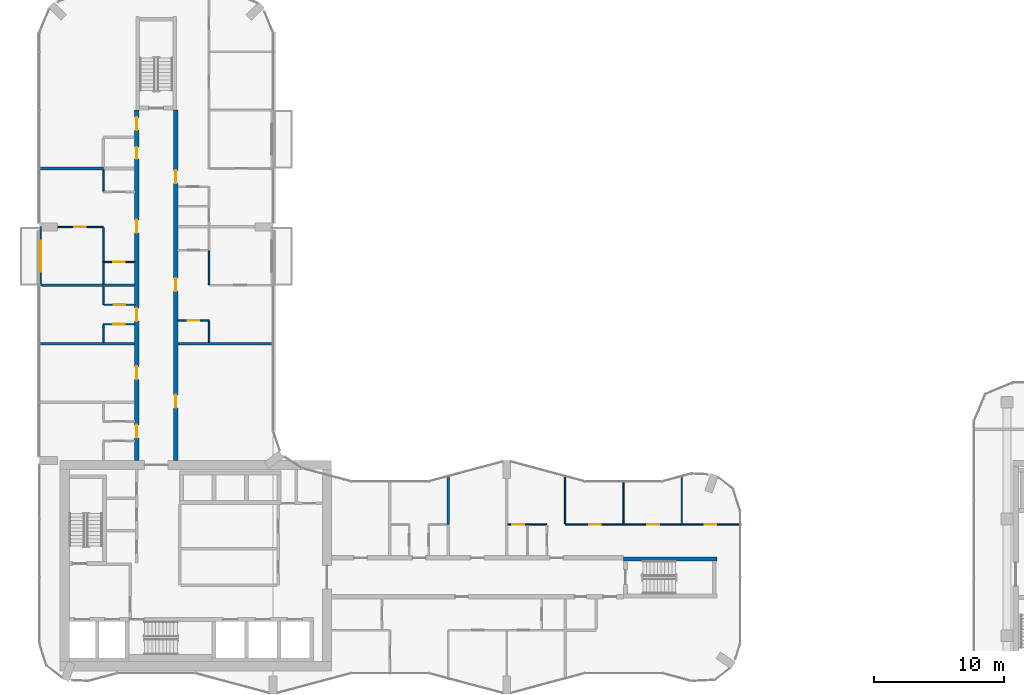
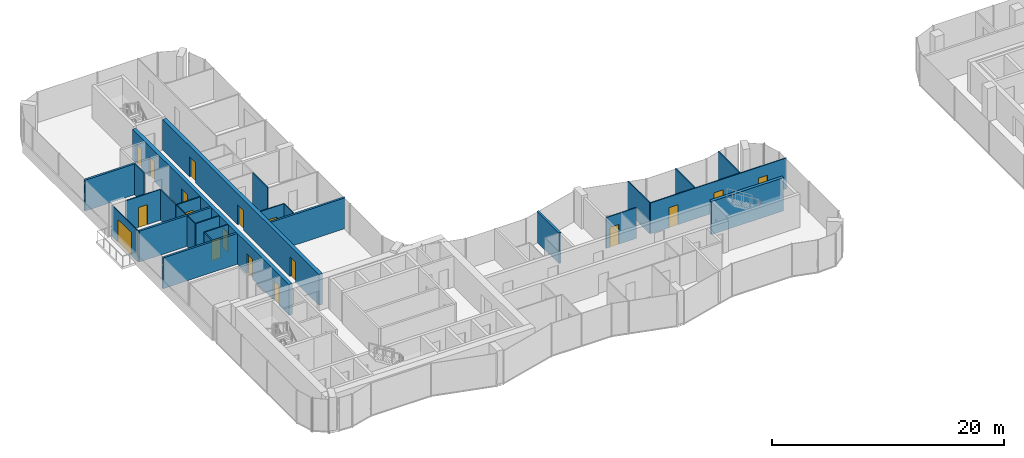
# One storey, part 15 of 22: 27 walls, 19 doors, 19 openings.
"""IFC4 building model written with IfcOpenShell, lengths in metres."""

from ifc_helpers import new_model, si_unit, direction, frame, frame_2d, origin, place, context, subcontext, project, spatial, rectangle, extrude, material, layer, layer_set, type_object, element, fill, save


model = new_model("IFC4")

# Units and contexts
model_context = context("Model", 3, precision=1e-05, world=origin(), true_north=direction((0.0, 1.0)))
body_context = subcontext(model_context, "Body", "Model", "MODEL_VIEW")
ifc_project = project(units=[si_unit("LENGTHUNIT", "METRE"), si_unit("AREAUNIT", "SQUARE_METRE"), si_unit("VOLUMEUNIT", "CUBIC_METRE"), si_unit("PLANEANGLEUNIT", "RADIAN"), si_unit("MASSUNIT", "GRAM", prefix="KILO")], contexts=[model_context])

# Site, building, storey
site_placement = place(None, origin())
site = spatial("IfcSite", under=ifc_project, at=site_placement, CompositionType="ELEMENT")
building_placement = place(site_placement, origin())
building = spatial("IfcBuilding", under=site, at=building_placement, Name="Plateau Cross Towers", CompositionType="ELEMENT")
storey_placement = place(building_placement, frame((0.0, 0.0, 65.300048828125)))
storey = spatial("IfcBuildingStorey", under=building, at=storey_placement, Name="L16", CompositionType="ELEMENT", Elevation=65.300048828125)

# Wall, opening, door
ifc_material_1 = material(Name="Aluminium framed glazing", Category="aluminium")
ifc_layer_1 = layer(ifc_material_1, 0.10009765625)
ifc_layer_set_1 = layer_set([ifc_layer_1], Name="Aluminium framed glazing")
wall_type_1 = type_object("IfcWallType", Name="Balcony screen wall 100", PredefinedType="STANDARD", material=ifc_layer_set_1)
wall_1_placement = place(storey_placement, frame((0.10009765625, 31.5, 0.0), z_axis=(0.0, 0.0, 1.0), x_axis=(0.0, 1.0, 0.0)))
wall_1 = element("IfcWall", 1, at=wall_1_placement, inside=storey, type_object=wall_type_1, Name="Balcony screen wall A-BAL-L16-01", PredefinedType="STANDARD", context=body_context, shape_type="SweptSolid", body=[
    extrude(rectangle(XDim=4.5, YDim=0.10009765625, at=frame_2d((2.25, 0.0))), origin(), (0.0, 0.0, 1.0), 3.25),
])
opening_1_placement = place(wall_1_placement, frame((1.050048828125, 0.0, 0.0)))
opening_1 = element("IfcOpeningElement", 2, at=opening_1_placement, cuts=wall_1, Name="Opening D-B24", PredefinedType="OPENING", context=body_context, shape_type="SweptSolid", body=[
    extrude(rectangle(XDim=2.39990234375, YDim=2.39990234375, at=frame_2d((1.199951171875, 1.199951171875))), frame((0.0, 0.06005859375, 0.0), z_axis=(0.0, -1.0, 0.0), x_axis=(1.0, 0.0, 0.0)), (0.0, 0.0, 1.0), 0.1201171875),
])
ifc_material_2 = material(Name="Aluminium frame, double glazing", Category="aluminium")
door_type_1 = type_object("IfcDoorType", Name="Balcony sliding door 2400", OperationType="NOTDEFINED", PredefinedType="DOOR", material=ifc_material_2)
door_1_placement = place(opening_1_placement, origin())
door_1 = element("IfcDoor", 3, at=door_1_placement, inside=storey, type_object=door_type_1, Name="Balcony door A-BAL-L16-01", OperationType="SINGLE_SWING_LEFT", OverallHeight=2.39990234375, OverallWidth=2.39990234375, PredefinedType="DOOR", context=body_context, shape_type="SweptSolid", body=[
    extrude(rectangle(XDim=2.39990234375, YDim=2.39990234375, at=frame_2d((1.199951171875, 1.199951171875))), frame((0.0, 0.02490234375, 0.0), z_axis=(0.0, -1.0, 0.0), x_axis=(1.0, 0.0, 0.0)), (0.0, 0.0, 1.0), 0.050048828125),
])
fill(opening_1, door_1)

# Wall, openings, doors
ifc_material_3 = material(Name="Concrete C60/75", Category="concrete")
ifc_layer_2 = layer(ifc_material_3, 0.35009765625)
ifc_layer_set_2 = layer_set([ifc_layer_2], Name="Concrete C60/75")
wall_type_2 = type_object("IfcWallType", Name="Corridor wall 350", PredefinedType="SHEAR", material=ifc_layer_set_2)
wall_2_placement = place(storey_placement, frame((7.5, 18.0, 0.0), z_axis=(0.0, 0.0, 1.0), x_axis=(0.0, 1.0, 0.0)))
wall_2 = element("IfcWall", 4, at=wall_2_placement, inside=storey, type_object=wall_type_2, Name="A-cw-W1@L16", PredefinedType="SHEAR", context=body_context, shape_type="SweptSolid", body=[
    extrude(rectangle(XDim=27.0, YDim=0.35009765625, at=frame_2d((13.5, 0.0))), origin(), (0.0, 0.0, 1.0), 3.25),
])
opening_2_placement = place(wall_2_placement, frame((1.75, 0.0, 0.0)))
opening_2 = element("IfcOpeningElement", 5, at=opening_2_placement, cuts=wall_2, Name="Opening 16-08", PredefinedType="OPENING", context=body_context, shape_type="SweptSolid", body=[
    extrude(rectangle(XDim=1.0, YDim=2.10009765625, at=frame_2d((0.5, 1.050048828125))), frame((0.0, 0.18505859375, 0.0), z_axis=(0.0, -1.0, 0.0), x_axis=(1.0, 0.0, 0.0)), (0.0, 0.0, 1.0), 0.3701171875),
])
opening_3_placement = place(wall_2_placement, frame((6.25, 0.0, 0.0)))
opening_3 = element("IfcOpeningElement", 6, at=opening_3_placement, cuts=wall_2, Name="Opening 16-09", PredefinedType="OPENING", context=body_context, shape_type="SweptSolid", body=[
    extrude(rectangle(XDim=1.0, YDim=2.10009765625, at=frame_2d((0.5, 1.050048828125))), frame((0.0, 0.18505859375, 0.0), z_axis=(0.0, -1.0, 0.0), x_axis=(1.0, 0.0, 0.0)), (0.0, 0.0, 1.0), 0.3701171875),
])
opening_4_placement = place(wall_2_placement, frame((10.75, 0.0, 0.0)))
opening_4 = element("IfcOpeningElement", 7, at=opening_4_placement, cuts=wall_2, Name="Opening 16-10", PredefinedType="OPENING", context=body_context, shape_type="SweptSolid", body=[
    extrude(rectangle(XDim=1.0, YDim=2.10009765625, at=frame_2d((0.5, 1.050048828125))), frame((0.0, 0.18505859375, 0.0), z_axis=(0.0, -1.0, 0.0), x_axis=(1.0, 0.0, 0.0)), (0.0, 0.0, 1.0), 0.3701171875),
])
opening_5_placement = place(wall_2_placement, frame((17.550048828125, 0.0, 0.0)))
opening_5 = element("IfcOpeningElement", 8, at=opening_5_placement, cuts=wall_2, Name="Opening 16-11", PredefinedType="OPENING", context=body_context, shape_type="SweptSolid", body=[
    extrude(rectangle(XDim=1.0, YDim=2.10009765625, at=frame_2d((0.5, 1.050048828125))), frame((0.0, 0.18505859375, 0.0), z_axis=(0.0, -1.0, 0.0), x_axis=(1.0, 0.0, 0.0)), (0.0, 0.0, 1.0), 0.3701171875),
])
opening_6_placement = place(wall_2_placement, frame((23.25, 0.0, 0.0)))
opening_6 = element("IfcOpeningElement", 9, at=opening_6_placement, cuts=wall_2, Name="Opening 16-12", PredefinedType="OPENING", context=body_context, shape_type="SweptSolid", body=[
    extrude(rectangle(XDim=0.89990234375, YDim=2.10009765625, at=frame_2d((0.449951171875, 1.050048828125))), frame((0.0, 0.18505859375, 0.0), z_axis=(0.0, -1.0, 0.0), x_axis=(1.0, 0.0, 0.0)), (0.0, 0.0, 1.0), 0.3701171875),
])
opening_7_placement = place(wall_2_placement, frame((25.449951171875, 0.0, 0.0)))
opening_7 = element("IfcOpeningElement", 10, at=opening_7_placement, cuts=wall_2, Name="Opening 16-13", PredefinedType="OPENING", context=body_context, shape_type="SweptSolid", body=[
    extrude(rectangle(XDim=1.0, YDim=2.10009765625, at=frame_2d((0.5, 1.050048828125))), frame((0.0, 0.18505859375, 0.0), z_axis=(0.0, -1.0, 0.0), x_axis=(1.0, 0.0, 0.0)), (0.0, 0.0, 1.0), 0.3701171875),
])
ifc_material_4 = material(Name="Timber, fire-resisting leaf", Category="wood")
door_type_2 = type_object("IfcDoorType", Name="Flat entrance door 1000", OperationType="NOTDEFINED", PredefinedType="DOOR", material=ifc_material_4)
door_2_placement = place(opening_2_placement, origin())
door_2 = element("IfcDoor", 11, at=door_2_placement, inside=storey, type_object=door_type_2, Name="Door 16-08", OperationType="SINGLE_SWING_LEFT", OverallHeight=2.10009765625, OverallWidth=1.0, PredefinedType="DOOR", context=body_context, shape_type="SweptSolid", body=[
    extrude(rectangle(XDim=1.0, YDim=2.10009765625, at=frame_2d((0.5, 1.050048828125))), frame((0.0, 0.02490234375, 0.0), z_axis=(0.0, -1.0, 0.0), x_axis=(1.0, 0.0, 0.0)), (0.0, 0.0, 1.0), 0.050048828125),
])
fill(opening_2, door_2)
door_3_placement = place(opening_3_placement, origin())
door_3 = element("IfcDoor", 12, at=door_3_placement, inside=storey, type_object=door_type_2, Name="Door 16-09", OperationType="SINGLE_SWING_LEFT", OverallHeight=2.10009765625, OverallWidth=1.0, PredefinedType="DOOR", context=body_context, shape_type="SweptSolid", body=[
    extrude(rectangle(XDim=1.0, YDim=2.10009765625, at=frame_2d((0.5, 1.050048828125))), frame((0.0, 0.02490234375, 0.0), z_axis=(0.0, -1.0, 0.0), x_axis=(1.0, 0.0, 0.0)), (0.0, 0.0, 1.0), 0.050048828125),
])
fill(opening_3, door_3)
door_4_placement = place(opening_4_placement, origin())
door_4 = element("IfcDoor", 13, at=door_4_placement, inside=storey, type_object=door_type_2, Name="Door 16-10", OperationType="SINGLE_SWING_LEFT", OverallHeight=2.10009765625, OverallWidth=1.0, PredefinedType="DOOR", context=body_context, shape_type="SweptSolid", body=[
    extrude(rectangle(XDim=1.0, YDim=2.10009765625, at=frame_2d((0.5, 1.050048828125))), frame((0.0, 0.02490234375, 0.0), z_axis=(0.0, -1.0, 0.0), x_axis=(1.0, 0.0, 0.0)), (0.0, 0.0, 1.0), 0.050048828125),
])
fill(opening_4, door_4)
door_5_placement = place(opening_5_placement, origin())
door_5 = element("IfcDoor", 14, at=door_5_placement, inside=storey, type_object=door_type_2, Name="Door 16-11", OperationType="SINGLE_SWING_RIGHT", OverallHeight=2.10009765625, OverallWidth=1.0, PredefinedType="DOOR", context=body_context, shape_type="SweptSolid", body=[
    extrude(rectangle(XDim=1.0, YDim=2.10009765625, at=frame_2d((0.5, 1.050048828125))), frame((0.0, 0.02490234375, 0.0), z_axis=(0.0, -1.0, 0.0), x_axis=(1.0, 0.0, 0.0)), (0.0, 0.0, 1.0), 0.050048828125),
])
fill(opening_5, door_5)
door_6_placement = place(opening_7_placement, origin())
door_6 = element("IfcDoor", 15, at=door_6_placement, inside=storey, type_object=door_type_2, Name="Door 16-13", OperationType="SINGLE_SWING_RIGHT", OverallHeight=2.10009765625, OverallWidth=1.0, PredefinedType="DOOR", context=body_context, shape_type="SweptSolid", body=[
    extrude(rectangle(XDim=1.0, YDim=2.10009765625, at=frame_2d((0.5, 1.050048828125))), frame((0.0, 0.02490234375, 0.0), z_axis=(0.0, -1.0, 0.0), x_axis=(1.0, 0.0, 0.0)), (0.0, 0.0, 1.0), 0.050048828125),
])
fill(opening_7, door_6)
door_type_3 = type_object("IfcDoorType", Name="Flat floor service door 900", OperationType="NOTDEFINED", PredefinedType="DOOR", material=ifc_material_4)
door_7_placement = place(opening_6_placement, origin())
door_7 = element("IfcDoor", 16, at=door_7_placement, inside=storey, type_object=door_type_3, Name="Door 16-12", OperationType="SINGLE_SWING_RIGHT", OverallHeight=2.10009765625, OverallWidth=0.89990234375, PredefinedType="DOOR", context=body_context, shape_type="SweptSolid", body=[
    extrude(rectangle(XDim=0.89990234375, YDim=2.10009765625, at=frame_2d((0.449951171875, 1.050048828125))), frame((0.0, 0.02490234375, 0.0), z_axis=(0.0, -1.0, 0.0), x_axis=(1.0, 0.0, 0.0)), (0.0, 0.0, 1.0), 0.050048828125),
])
fill(opening_6, door_7)

wall_3_placement = place(storey_placement, frame((10.5, 18.0, 0.0), z_axis=(0.0, 0.0, 1.0), x_axis=(0.0, 1.0, 0.0)))
wall_3 = element("IfcWall", 17, at=wall_3_placement, inside=storey, type_object=wall_type_2, Name="A-cw-W2@L16", PredefinedType="SHEAR", context=body_context, shape_type="SweptSolid", body=[
    extrude(rectangle(XDim=27.0, YDim=0.35009765625, at=frame_2d((13.5, 0.0))), origin(), (0.0, 0.0, 1.0), 3.25),
])
opening_8_placement = place(wall_3_placement, frame((4.050048828125, 0.0, 0.0)))
opening_8 = element("IfcOpeningElement", 18, at=opening_8_placement, cuts=wall_3, Name="Opening 16-14", PredefinedType="OPENING", context=body_context, shape_type="SweptSolid", body=[
    extrude(rectangle(XDim=1.0, YDim=2.10009765625, at=frame_2d((0.5, 1.050048828125))), frame((0.0, 0.18505859375, 0.0), z_axis=(0.0, -1.0, 0.0), x_axis=(1.0, 0.0, 0.0)), (0.0, 0.0, 1.0), 0.3701171875),
])
opening_9_placement = place(wall_3_placement, frame((13.050048828125, 0.0, 0.0)))
opening_9 = element("IfcOpeningElement", 19, at=opening_9_placement, cuts=wall_3, Name="Opening 16-15", PredefinedType="OPENING", context=body_context, shape_type="SweptSolid", body=[
    extrude(rectangle(XDim=1.0, YDim=2.10009765625, at=frame_2d((0.5, 1.050048828125))), frame((0.0, 0.18505859375, 0.0), z_axis=(0.0, -1.0, 0.0), x_axis=(1.0, 0.0, 0.0)), (0.0, 0.0, 1.0), 0.3701171875),
])
opening_10_placement = place(wall_3_placement, frame((21.35009765625, 0.0, 0.0)))
opening_10 = element("IfcOpeningElement", 20, at=opening_10_placement, cuts=wall_3, Name="Opening 16-16", PredefinedType="OPENING", context=body_context, shape_type="SweptSolid", body=[
    extrude(rectangle(XDim=1.0, YDim=2.10009765625, at=frame_2d((0.5, 1.050048828125))), frame((0.0, 0.18505859375, 0.0), z_axis=(0.0, -1.0, 0.0), x_axis=(1.0, 0.0, 0.0)), (0.0, 0.0, 1.0), 0.3701171875),
])
door_8_placement = place(opening_8_placement, origin())
door_8 = element("IfcDoor", 21, at=door_8_placement, inside=storey, type_object=door_type_2, Name="Door 16-14", OperationType="SINGLE_SWING_LEFT", OverallHeight=2.10009765625, OverallWidth=1.0, PredefinedType="DOOR", context=body_context, shape_type="SweptSolid", body=[
    extrude(rectangle(XDim=1.0, YDim=2.10009765625, at=frame_2d((0.5, 1.050048828125))), frame((0.0, 0.02490234375, 0.0), z_axis=(0.0, -1.0, 0.0), x_axis=(1.0, 0.0, 0.0)), (0.0, 0.0, 1.0), 0.050048828125),
])
fill(opening_8, door_8)
door_9_placement = place(opening_9_placement, origin())
door_9 = element("IfcDoor", 22, at=door_9_placement, inside=storey, type_object=door_type_2, Name="Door 16-15", OperationType="SINGLE_SWING_RIGHT", OverallHeight=2.10009765625, OverallWidth=1.0, PredefinedType="DOOR", context=body_context, shape_type="SweptSolid", body=[
    extrude(rectangle(XDim=1.0, YDim=2.10009765625, at=frame_2d((0.5, 1.050048828125))), frame((0.0, 0.02490234375, 0.0), z_axis=(0.0, -1.0, 0.0), x_axis=(1.0, 0.0, 0.0)), (0.0, 0.0, 1.0), 0.050048828125),
])
fill(opening_9, door_9)
door_10_placement = place(opening_10_placement, origin())
door_10 = element("IfcDoor", 23, at=door_10_placement, inside=storey, type_object=door_type_2, Name="Door 16-16", OperationType="SINGLE_SWING_RIGHT", OverallHeight=2.10009765625, OverallWidth=1.0, PredefinedType="DOOR", context=body_context, shape_type="SweptSolid", body=[
    extrude(rectangle(XDim=1.0, YDim=2.10009765625, at=frame_2d((0.5, 1.050048828125))), frame((0.0, 0.02490234375, 0.0), z_axis=(0.0, -1.0, 0.0), x_axis=(1.0, 0.0, 0.0)), (0.0, 0.0, 1.0), 0.050048828125),
])
fill(opening_10, door_10)

# Wall, opening, door
ifc_material_5 = material(Name="Gypsum board on steel studs", Category="steel")
ifc_layer_3 = layer(ifc_material_5, 0.10009765625)
ifc_layer_set_3 = layer_set([ifc_layer_3], Name="Gypsum board on steel studs")
wall_type_3 = type_object("IfcWallType", Name="Flat partition 100", PredefinedType="PARTITIONING", material=ifc_layer_set_3)
wall_4_placement = place(storey_placement, frame((39.10009765625, 13.074951171875, 0.0), z_axis=(0.0, 0.0, 1.0), x_axis=(-1.0, 0.0, 0.0)))
wall_4 = element("IfcWall", 24, at=wall_4_placement, inside=storey, type_object=wall_type_3, Name="Partition wall", PredefinedType="PARTITIONING", context=body_context, shape_type="SweptSolid", body=[
    extrude(rectangle(XDim=3.0, YDim=0.10009765625, at=frame_2d((1.5, 0.0))), origin(), (0.0, 0.0, 1.0), 3.25),
])
opening_11_placement = place(wall_4_placement, frame((1.75, 0.0, 0.0)))
opening_11 = element("IfcOpeningElement", 25, at=opening_11_placement, cuts=wall_4, Name="Opening 16-24", PredefinedType="OPENING", context=body_context, shape_type="SweptSolid", body=[
    extrude(rectangle(XDim=0.89990234375, YDim=2.10009765625, at=frame_2d((0.449951171875, 1.050048828125))), frame((0.0, 0.06005859375, 0.0), z_axis=(0.0, -1.0, 0.0), x_axis=(1.0, 0.0, 0.0)), (0.0, 0.0, 1.0), 0.1201171875),
])
ifc_material_6 = material(Name="Timber leaf", Category="wood")
door_type_4 = type_object("IfcDoorType", Name="Flat room door 900", OperationType="NOTDEFINED", PredefinedType="DOOR", material=ifc_material_6)
door_11_placement = place(opening_11_placement, origin())
door_11 = element("IfcDoor", 26, at=door_11_placement, inside=storey, type_object=door_type_4, Name="Door 16-24", OperationType="SINGLE_SWING_RIGHT", OverallHeight=2.10009765625, OverallWidth=0.89990234375, PredefinedType="DOOR", context=body_context, shape_type="SweptSolid", body=[
    extrude(rectangle(XDim=0.89990234375, YDim=2.10009765625, at=frame_2d((0.449951171875, 1.050048828125))), frame((0.0, 0.02490234375, 0.0), z_axis=(0.0, -1.0, 0.0), x_axis=(1.0, 0.0, 0.0)), (0.0, 0.0, 1.0), 0.050048828125),
])
fill(opening_11, door_11)

# Wall, openings, doors
wall_5_placement = place(storey_placement, frame((40.5, 13.074951171875, 0.0), z_axis=(0.0, 0.0, 1.0), x_axis=(1.0, 0.0, 0.0)))
wall_5 = element("IfcWall", 27, at=wall_5_placement, inside=storey, type_object=wall_type_3, Name="Partition wall", PredefinedType="PARTITIONING", context=body_context, shape_type="SweptSolid", body=[
    extrude(rectangle(XDim=13.580078125, YDim=0.10009765625, at=frame_2d((6.7900390625, 0.0))), origin(), (0.0, 0.0, 1.0), 3.25),
])
opening_12_placement = place(wall_5_placement, frame((1.85009765625, 0.0, 0.0)))
opening_12 = element("IfcOpeningElement", 28, at=opening_12_placement, cuts=wall_5, Name="Opening 16-26", PredefinedType="OPENING", context=body_context, shape_type="SweptSolid", body=[
    extrude(rectangle(XDim=0.89990234375, YDim=2.10009765625, at=frame_2d((0.449951171875, 1.050048828125))), frame((0.0, 0.06005859375, 0.0), z_axis=(0.0, -1.0, 0.0), x_axis=(1.0, 0.0, 0.0)), (0.0, 0.0, 1.0), 0.1201171875),
])
opening_13_placement = place(wall_5_placement, frame((6.35009765625, 0.0, 0.0)))
opening_13 = element("IfcOpeningElement", 29, at=opening_13_placement, cuts=wall_5, Name="Opening 16-27", PredefinedType="OPENING", context=body_context, shape_type="SweptSolid", body=[
    extrude(rectangle(XDim=0.89990234375, YDim=2.10009765625, at=frame_2d((0.449951171875, 1.050048828125))), frame((0.0, 0.06005859375, 0.0), z_axis=(0.0, -1.0, 0.0), x_axis=(1.0, 0.0, 0.0)), (0.0, 0.0, 1.0), 0.1201171875),
])
opening_14_placement = place(wall_5_placement, frame((10.75, 0.0, 0.0)))
opening_14 = element("IfcOpeningElement", 30, at=opening_14_placement, cuts=wall_5, Name="Opening 16-28", PredefinedType="OPENING", context=body_context, shape_type="SweptSolid", body=[
    extrude(rectangle(XDim=0.89990234375, YDim=2.10009765625, at=frame_2d((0.449951171875, 1.050048828125))), frame((0.0, 0.06005859375, 0.0), z_axis=(0.0, -1.0, 0.0), x_axis=(1.0, 0.0, 0.0)), (0.0, 0.0, 1.0), 0.1201171875),
])
door_12_placement = place(opening_12_placement, origin())
door_12 = element("IfcDoor", 31, at=door_12_placement, inside=storey, type_object=door_type_4, Name="Door 16-26", OperationType="SINGLE_SWING_LEFT", OverallHeight=2.10009765625, OverallWidth=0.89990234375, PredefinedType="DOOR", context=body_context, shape_type="SweptSolid", body=[
    extrude(rectangle(XDim=0.89990234375, YDim=2.10009765625, at=frame_2d((0.449951171875, 1.050048828125))), frame((0.0, 0.02490234375, 0.0), z_axis=(0.0, -1.0, 0.0), x_axis=(1.0, 0.0, 0.0)), (0.0, 0.0, 1.0), 0.050048828125),
])
fill(opening_12, door_12)
door_13_placement = place(opening_13_placement, origin())
door_13 = element("IfcDoor", 32, at=door_13_placement, inside=storey, type_object=door_type_4, Name="Door 16-27", OperationType="SINGLE_SWING_RIGHT", OverallHeight=2.10009765625, OverallWidth=0.89990234375, PredefinedType="DOOR", context=body_context, shape_type="SweptSolid", body=[
    extrude(rectangle(XDim=0.89990234375, YDim=2.10009765625, at=frame_2d((0.449951171875, 1.050048828125))), frame((0.0, 0.02490234375, 0.0), z_axis=(0.0, -1.0, 0.0), x_axis=(1.0, 0.0, 0.0)), (0.0, 0.0, 1.0), 0.050048828125),
])
fill(opening_13, door_13)
door_14_placement = place(opening_14_placement, origin())
door_14 = element("IfcDoor", 33, at=door_14_placement, inside=storey, type_object=door_type_4, Name="Door 16-28", OperationType="SINGLE_SWING_RIGHT", OverallHeight=2.10009765625, OverallWidth=0.89990234375, PredefinedType="DOOR", context=body_context, shape_type="SweptSolid", body=[
    extrude(rectangle(XDim=0.89990234375, YDim=2.10009765625, at=frame_2d((0.449951171875, 1.050048828125))), frame((0.0, 0.02490234375, 0.0), z_axis=(0.0, -1.0, 0.0), x_axis=(1.0, 0.0, 0.0)), (0.0, 0.0, 1.0), 0.050048828125),
])
fill(opening_14, door_14)

# Wall, opening, door
wall_6_placement = place(storey_placement, frame((7.324951171875, 28.5, 0.0), z_axis=(0.0, 0.0, 1.0), x_axis=(-1.0, 0.0, 0.0)))
wall_6 = element("IfcWall", 34, at=wall_6_placement, inside=storey, type_object=wall_type_3, Name="Partition wall", PredefinedType="PARTITIONING", context=body_context, shape_type="SweptSolid", body=[
    extrude(rectangle(XDim=2.39990234375, YDim=0.10009765625, at=frame_2d((1.199951171875, 0.0))), origin(), (0.0, 0.0, 1.0), 3.25),
])
opening_15_placement = place(wall_6_placement, frame((0.75, 0.0, 0.0)))
opening_15 = element("IfcOpeningElement", 35, at=opening_15_placement, cuts=wall_6, Name="Opening 16-31", PredefinedType="OPENING", context=body_context, shape_type="SweptSolid", body=[
    extrude(rectangle(XDim=0.89990234375, YDim=2.10009765625, at=frame_2d((0.449951171875, 1.050048828125))), frame((0.0, 0.06005859375, 0.0), z_axis=(0.0, -1.0, 0.0), x_axis=(1.0, 0.0, 0.0)), (0.0, 0.0, 1.0), 0.1201171875),
])
door_15_placement = place(opening_15_placement, origin())
door_15 = element("IfcDoor", 36, at=door_15_placement, inside=storey, type_object=door_type_4, Name="Door 16-31", OperationType="SINGLE_SWING_LEFT", OverallHeight=2.10009765625, OverallWidth=0.89990234375, PredefinedType="DOOR", context=body_context, shape_type="SweptSolid", body=[
    extrude(rectangle(XDim=0.89990234375, YDim=2.10009765625, at=frame_2d((0.449951171875, 1.050048828125))), frame((0.0, 0.02490234375, 0.0), z_axis=(0.0, -1.0, 0.0), x_axis=(1.0, 0.0, 0.0)), (0.0, 0.0, 1.0), 0.050048828125),
])
fill(opening_15, door_15)

wall_7_placement = place(storey_placement, frame((13.074951171875, 28.800048828125, 0.0), z_axis=(0.0, 0.0, 1.0), x_axis=(-1.0, 0.0, 0.0)))
wall_7 = element("IfcWall", 37, at=wall_7_placement, inside=storey, type_object=wall_type_3, Name="Partition wall", PredefinedType="PARTITIONING", context=body_context, shape_type="SweptSolid", body=[
    extrude(rectangle(XDim=2.39990234375, YDim=0.10009765625, at=frame_2d((1.199951171875, 0.0))), origin(), (0.0, 0.0, 1.0), 3.25),
])
opening_16_placement = place(wall_7_placement, frame((0.75, 0.0, 0.0)))
opening_16 = element("IfcOpeningElement", 38, at=opening_16_placement, cuts=wall_7, Name="Opening 16-36", PredefinedType="OPENING", context=body_context, shape_type="SweptSolid", body=[
    extrude(rectangle(XDim=0.89990234375, YDim=2.10009765625, at=frame_2d((0.449951171875, 1.050048828125))), frame((0.0, 0.06005859375, 0.0), z_axis=(0.0, -1.0, 0.0), x_axis=(1.0, 0.0, 0.0)), (0.0, 0.0, 1.0), 0.1201171875),
])
door_16_placement = place(opening_16_placement, origin())
door_16 = element("IfcDoor", 39, at=door_16_placement, inside=storey, type_object=door_type_4, Name="Door 16-36", OperationType="SINGLE_SWING_RIGHT", OverallHeight=2.10009765625, OverallWidth=0.89990234375, PredefinedType="DOOR", context=body_context, shape_type="SweptSolid", body=[
    extrude(rectangle(XDim=0.89990234375, YDim=2.10009765625, at=frame_2d((0.449951171875, 1.050048828125))), frame((0.0, 0.02490234375, 0.0), z_axis=(0.0, -1.0, 0.0), x_axis=(1.0, 0.0, 0.0)), (0.0, 0.0, 1.0), 0.050048828125),
])
fill(opening_16, door_16)

wall_8_placement = place(storey_placement, frame((4.97509765625, 30.0, 0.0), z_axis=(0.0, 0.0, 1.0), x_axis=(1.0, 0.0, 0.0)))
wall_8 = element("IfcWall", 40, at=wall_8_placement, inside=storey, type_object=wall_type_3, Name="Partition wall", PredefinedType="PARTITIONING", context=body_context, shape_type="SweptSolid", body=[
    extrude(rectangle(XDim=2.349853515625, YDim=0.10009765625, at=frame_2d((1.1748046875, 0.0))), origin(), (0.0, 0.0, 1.0), 3.25),
])
opening_17_placement = place(wall_8_placement, frame((0.75, 0.0, 0.0)))
opening_17 = element("IfcOpeningElement", 41, at=opening_17_placement, cuts=wall_8, Name="Opening 16-32", PredefinedType="OPENING", context=body_context, shape_type="SweptSolid", body=[
    extrude(rectangle(XDim=0.89990234375, YDim=2.10009765625, at=frame_2d((0.449951171875, 1.050048828125))), frame((0.0, 0.06005859375, 0.0), z_axis=(0.0, -1.0, 0.0), x_axis=(1.0, 0.0, 0.0)), (0.0, 0.0, 1.0), 0.1201171875),
])
door_17_placement = place(opening_17_placement, origin())
door_17 = element("IfcDoor", 42, at=door_17_placement, inside=storey, type_object=door_type_4, Name="Door 16-32", OperationType="SINGLE_SWING_RIGHT", OverallHeight=2.10009765625, OverallWidth=0.89990234375, PredefinedType="DOOR", context=body_context, shape_type="SweptSolid", body=[
    extrude(rectangle(XDim=0.89990234375, YDim=2.10009765625, at=frame_2d((0.449951171875, 1.050048828125))), frame((0.0, 0.02490234375, 0.0), z_axis=(0.0, -1.0, 0.0), x_axis=(1.0, 0.0, 0.0)), (0.0, 0.0, 1.0), 0.050048828125),
])
fill(opening_17, door_17)

wall_9_placement = place(storey_placement, frame((7.324951171875, 33.300048828125, 0.0), z_axis=(0.0, 0.0, 1.0), x_axis=(-1.0, 0.0, 0.0)))
wall_9 = element("IfcWall", 43, at=wall_9_placement, inside=storey, type_object=wall_type_3, Name="Partition wall", PredefinedType="PARTITIONING", context=body_context, shape_type="SweptSolid", body=[
    extrude(rectangle(XDim=2.349853515625, YDim=0.10009765625, at=frame_2d((1.1748046875, 0.0))), origin(), (0.0, 0.0, 1.0), 3.25),
])
opening_18_placement = place(wall_9_placement, frame((0.75, 0.0, 0.0)))
opening_18 = element("IfcOpeningElement", 44, at=opening_18_placement, cuts=wall_9, Name="Opening 16-33", PredefinedType="OPENING", context=body_context, shape_type="SweptSolid", body=[
    extrude(rectangle(XDim=0.89990234375, YDim=2.10009765625, at=frame_2d((0.449951171875, 1.050048828125))), frame((0.0, 0.06005859375, 0.0), z_axis=(0.0, -1.0, 0.0), x_axis=(1.0, 0.0, 0.0)), (0.0, 0.0, 1.0), 0.1201171875),
])
door_18_placement = place(opening_18_placement, origin())
door_18 = element("IfcDoor", 45, at=door_18_placement, inside=storey, type_object=door_type_4, Name="Door 16-33", OperationType="SINGLE_SWING_RIGHT", OverallHeight=2.10009765625, OverallWidth=0.89990234375, PredefinedType="DOOR", context=body_context, shape_type="SweptSolid", body=[
    extrude(rectangle(XDim=0.89990234375, YDim=2.10009765625, at=frame_2d((0.449951171875, 1.050048828125))), frame((0.0, 0.02490234375, 0.0), z_axis=(0.0, -1.0, 0.0), x_axis=(1.0, 0.0, 0.0)), (0.0, 0.0, 1.0), 0.050048828125),
])
fill(opening_18, door_18)

wall_10_placement = place(storey_placement, frame((4.925048828125, 36.0, 0.0), z_axis=(0.0, 0.0, 1.0), x_axis=(-1.0, 0.0, 0.0)))
wall_10 = element("IfcWall", 46, at=wall_10_placement, inside=storey, type_object=wall_type_3, Name="Partition wall", PredefinedType="PARTITIONING", context=body_context, shape_type="SweptSolid", body=[
    extrude(rectangle(XDim=3.525146484375, YDim=0.10009765625, at=frame_2d((1.7626953125, 0.0))), origin(), (0.0, 0.0, 1.0), 3.25),
])
opening_19_placement = place(wall_10_placement, frame((1.35009765625, 0.0, 0.0)))
opening_19 = element("IfcOpeningElement", 47, at=opening_19_placement, cuts=wall_10, Name="Opening 16-35", PredefinedType="OPENING", context=body_context, shape_type="SweptSolid", body=[
    extrude(rectangle(XDim=0.89990234375, YDim=2.10009765625, at=frame_2d((0.449951171875, 1.050048828125))), frame((0.0, 0.06005859375, 0.0), z_axis=(0.0, -1.0, 0.0), x_axis=(1.0, 0.0, 0.0)), (0.0, 0.0, 1.0), 0.1201171875),
])
door_19_placement = place(opening_19_placement, origin())
door_19 = element("IfcDoor", 48, at=door_19_placement, inside=storey, type_object=door_type_4, Name="Door 16-35", OperationType="SINGLE_SWING_RIGHT", OverallHeight=2.10009765625, OverallWidth=0.89990234375, PredefinedType="DOOR", context=body_context, shape_type="SweptSolid", body=[
    extrude(rectangle(XDim=0.89990234375, YDim=2.10009765625, at=frame_2d((0.449951171875, 1.050048828125))), frame((0.0, 0.02490234375, 0.0), z_axis=(0.0, -1.0, 0.0), x_axis=(1.0, 0.0, 0.0)), (0.0, 0.0, 1.0), 0.050048828125),
])
fill(opening_19, door_19)

# Walls
wall_11_placement = place(storey_placement, frame((4.925048828125, 28.449951171875, 0.0), z_axis=(0.0, 0.0, 1.0), x_axis=(0.0, -1.0, 0.0)))
element("IfcWall", 49, at=wall_11_placement, inside=storey, type_object=wall_type_3, Name="Partition wall", PredefinedType="PARTITIONING", context=body_context, shape_type="SweptSolid", body=[
    extrude(rectangle(XDim=1.349853515625, YDim=0.10009765625, at=frame_2d((0.6748046875, 0.0))), origin(), (0.0, 0.0, 1.0), 3.25),
])
wall_12_placement = place(storey_placement, frame((4.925048828125, 31.39990234375, 0.0), z_axis=(0.0, 0.0, 1.0), x_axis=(0.0, -1.0, 0.0)))
element("IfcWall", 50, at=wall_12_placement, inside=storey, type_object=wall_type_3, Name="Partition wall", PredefinedType="PARTITIONING", context=body_context, shape_type="SweptSolid", body=[
    extrude(rectangle(XDim=1.39990234375, YDim=0.10009765625, at=frame_2d((0.699951171875, 0.0))), origin(), (0.0, 0.0, 1.0), 3.25),
])
wall_13_placement = place(storey_placement, frame((4.925048828125, 33.300048828125, 0.0), z_axis=(0.0, 0.0, 1.0), x_axis=(0.0, -1.0, 0.0)))
element("IfcWall", 51, at=wall_13_placement, inside=storey, type_object=wall_type_3, Name="Partition wall", PredefinedType="PARTITIONING", context=body_context, shape_type="SweptSolid", body=[
    extrude(rectangle(XDim=1.699951171875, YDim=0.10009765625, at=frame_2d((0.85009765625, 0.0))), origin(), (0.0, 0.0, 1.0), 3.25),
])
wall_14_placement = place(storey_placement, frame((4.925048828125, 40.39990234375, 0.0), z_axis=(0.0, 0.0, 1.0), x_axis=(0.0, -1.0, 0.0)))
element("IfcWall", 52, at=wall_14_placement, inside=storey, type_object=wall_type_3, Name="Partition wall", PredefinedType="PARTITIONING", context=body_context, shape_type="SweptSolid", body=[
    extrude(rectangle(XDim=1.64990234375, YDim=0.10009765625, at=frame_2d((0.824951171875, 0.0))), origin(), (0.0, 0.0, 1.0), 3.25),
])
for number, where, z_axis, x_axis, name in (
    (53, (4.925048828125, 33.35009765625, 0.0), (0.0, 0.0, 1.0), (0.0, 1.0, 0.0), "Partition wall"),
    (54, (13.074951171875, 34.14990234375, 0.0), (0.0, 0.0, 1.0), (0.0, -1.0, 0.0), "Partition wall"),
):
    element("IfcWall", number, at=place(storey_placement, frame(where, z_axis=z_axis, x_axis=x_axis)), inside=storey, type_object=wall_type_3, Name=name, PredefinedType="PARTITIONING", context=body_context, shape_type="SweptSolid", body=[
        extrude(rectangle(XDim=2.599853515625, YDim=0.10009765625, at=frame_2d((1.2998046875, 0.0))), origin(), (0.0, 0.0, 1.0), 3.25),
    ])
wall_15_placement = place(storey_placement, frame((13.074951171875, 27.10009765625, 0.0), z_axis=(0.0, 0.0, 1.0), x_axis=(0.0, 1.0, 0.0)))
element("IfcWall", 55, at=wall_15_placement, inside=storey, type_object=wall_type_3, Name="Partition wall", PredefinedType="PARTITIONING", context=body_context, shape_type="SweptSolid", body=[
    extrude(rectangle(XDim=1.64990234375, YDim=0.10009765625, at=frame_2d((0.824951171875, 0.0))), origin(), (0.0, 0.0, 1.0), 3.25),
])
wall_16_placement = place(storey_placement, frame((40.5, 16.877685546875, 0.0), z_axis=(0.0, 0.0, 1.0), x_axis=(0.0, -1.0, 0.0)))
element("IfcWall", 56, at=wall_16_placement, inside=storey, type_object=wall_type_3, Name="Partition wall", PredefinedType="PARTITIONING", context=body_context, shape_type="SweptSolid", body=[
    extrude(rectangle(XDim=3.752685546875, YDim=0.10009765625, at=frame_2d((1.87646484375, 0.0))), origin(), (0.0, 0.0, 1.0), 3.25),
])
wall_17_placement = place(storey_placement, frame((45.0, 13.125, 0.0), z_axis=(0.0, 0.0, 1.0), x_axis=(0.0, 1.0, 0.0)))
element("IfcWall", 57, at=wall_17_placement, inside=storey, type_object=wall_type_3, Name="Partition wall", PredefinedType="PARTITIONING", context=body_context, shape_type="SweptSolid", body=[
    extrude(rectangle(XDim=3.34814453125, YDim=0.10009765625, at=frame_2d((1.674072265625, 0.0))), origin(), (0.0, 0.0, 1.0), 3.25),
])
wall_18_placement = place(storey_placement, frame((49.5, 13.125, 0.0), z_axis=(0.0, 0.0, 1.0), x_axis=(0.0, 1.0, 0.0)))
element("IfcWall", 58, at=wall_18_placement, inside=storey, type_object=wall_type_3, Name="Partition wall", PredefinedType="PARTITIONING", context=body_context, shape_type="SweptSolid", body=[
    extrude(rectangle(XDim=3.752685546875, YDim=0.10009765625, at=frame_2d((1.87646484375, 0.0))), origin(), (0.0, 0.0, 1.0), 3.25),
])
ifc_material_7 = material(Name="Gypsum board on steel studs, two layers each side", Category="steel")
ifc_layer_4 = layer(ifc_material_7, 0.199951171875)
ifc_layer_set_4 = layer_set([ifc_layer_4], Name="Gypsum board on steel studs, two layers each side")
wall_type_4 = type_object("IfcWallType", Name="Flat party wall 200", PredefinedType="PARTITIONING", material=ifc_layer_set_4)
for number, where, z_axis, x_axis, name in (
    (59, (7.324951171875, 27.0, 0.0), (0.0, 0.0, 1.0), (-1.0, 0.0, 0.0), "Party wall"),
    (60, (18.080078125, 27.0, 0.0), (0.0, 0.0, 1.0), (-1.0, 0.0, 0.0), "Party wall"),
):
    element("IfcWall", number, at=place(storey_placement, frame(where, z_axis=z_axis, x_axis=x_axis)), inside=storey, type_object=wall_type_4, Name=name, PredefinedType="PARTITIONING", context=body_context, shape_type="SweptSolid", body=[
        extrude(rectangle(XDim=7.405029296875, YDim=0.199951171875, at=frame_2d((3.70263671875, 0.0))), origin(), (0.0, 0.0, 1.0), 3.25),
    ])
wall_19_placement = place(storey_placement, frame((7.324951171875, 31.5, 0.0), z_axis=(0.0, 0.0, 1.0), x_axis=(-1.0, 0.0, 0.0)))
element("IfcWall", 61, at=wall_19_placement, inside=storey, type_object=wall_type_4, Name="Party wall", PredefinedType="PARTITIONING", context=body_context, shape_type="SweptSolid", body=[
    extrude(rectangle(XDim=2.300048828125, YDim=0.199951171875, at=frame_2d((1.14990234375, 0.0))), origin(), (0.0, 0.0, 1.0), 3.25),
])
wall_20_placement = place(storey_placement, frame((0.14990234375, 31.5, 0.0), z_axis=(0.0, 0.0, 1.0), x_axis=(1.0, 0.0, 0.0)))
element("IfcWall", 62, at=wall_20_placement, inside=storey, type_object=wall_type_4, Name="Party wall", PredefinedType="PARTITIONING", context=body_context, shape_type="SweptSolid", body=[
    extrude(rectangle(XDim=4.775146484375, YDim=0.199951171875, at=frame_2d((2.3876953125, 0.0))), origin(), (0.0, 0.0, 1.0), 3.25),
])
wall_21_placement = place(storey_placement, frame((-0.080078125, 40.5, 0.0), z_axis=(0.0, 0.0, 1.0), x_axis=(1.0, 0.0, 0.0)))
element("IfcWall", 63, at=wall_21_placement, inside=storey, type_object=wall_type_4, Name="Party wall", PredefinedType="PARTITIONING", context=body_context, shape_type="SweptSolid", body=[
    extrude(rectangle(XDim=5.005126953125, YDim=0.199951171875, at=frame_2d((2.50244140625, 0.0))), origin(), (0.0, 0.0, 1.0), 3.25),
])
wall_22_placement = place(storey_placement, frame((31.5, 16.877685546875, 0.0), z_axis=(0.0, 0.0, 1.0), x_axis=(0.0, -1.0, 0.0)))
element("IfcWall", 64, at=wall_22_placement, inside=storey, type_object=wall_type_4, Name="Party wall", PredefinedType="PARTITIONING", context=body_context, shape_type="SweptSolid", body=[
    extrude(rectangle(XDim=3.802734375, YDim=0.199951171875, at=frame_2d((1.9013671875, 0.0))), origin(), (0.0, 0.0, 1.0), 3.25),
])
ifc_layer_5 = layer(ifc_material_3, 0.300048828125)
ifc_layer_set_5 = layer_set([ifc_layer_5], Name="Concrete C60/75")
wall_type_5 = type_object("IfcWallType", Name="Stair tower wall 300", PredefinedType="SHEAR", material=ifc_layer_set_5)
wall_23_placement = place(storey_placement, frame((45.0, 10.425048828125, 0.0), z_axis=(0.0, 0.0, 1.0), x_axis=(1.0, 0.0, 0.0)))
element("IfcWall", 65, at=wall_23_placement, inside=storey, type_object=wall_type_5, Name="A-end-E-N@L16", PredefinedType="SHEAR", context=body_context, shape_type="SweptSolid", body=[
    extrude(rectangle(XDim=7.199951171875, YDim=0.300048828125, at=frame_2d((3.60009765625, 0.0))), origin(), (0.0, 0.0, 1.0), 3.5),
])

save(model, "model.ifc")
